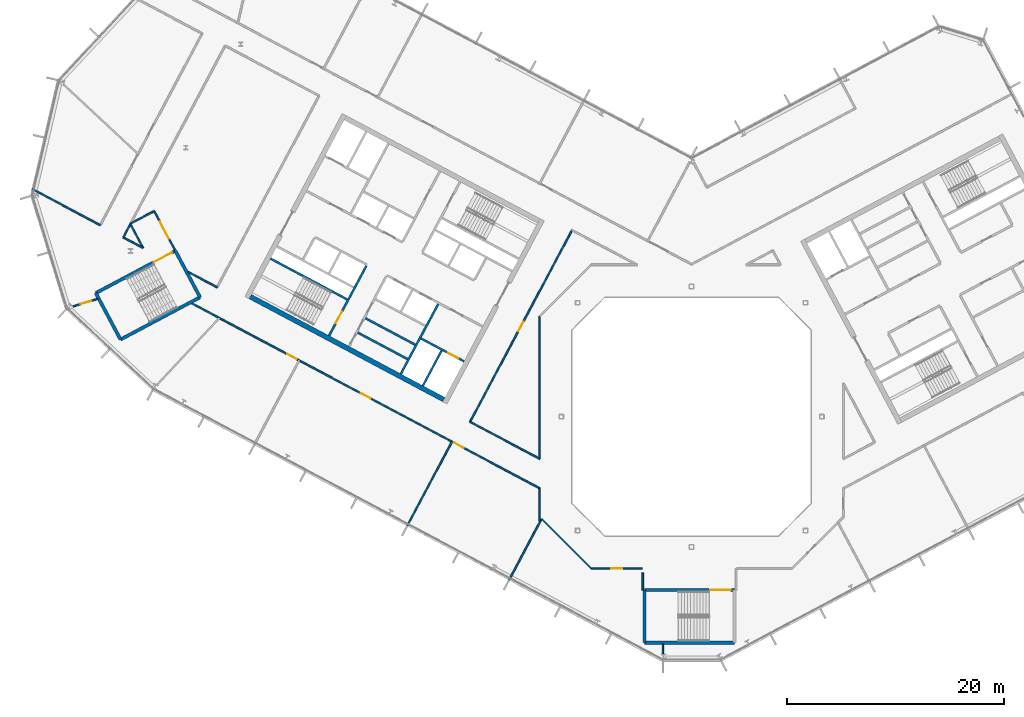
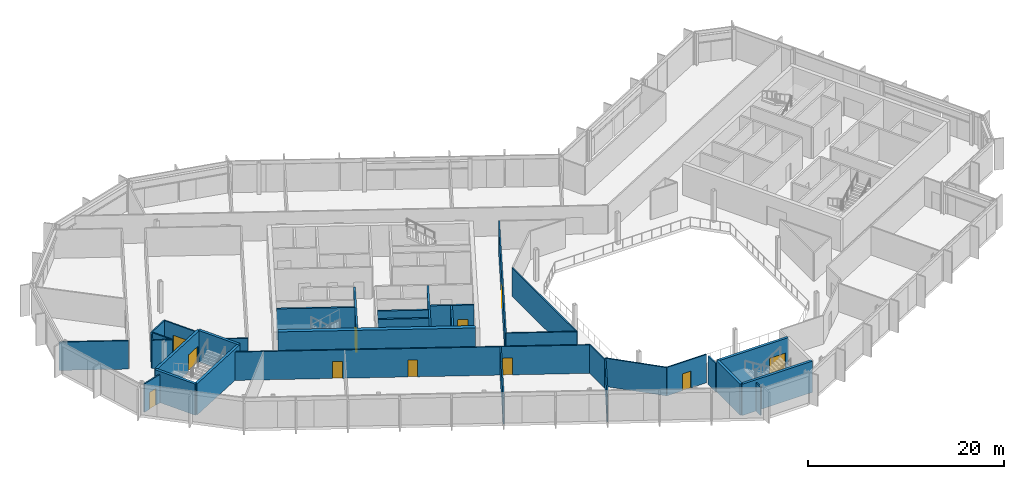
# One storey, part 13 of 26: 34 walls, 11 doors, 11 openings.
"""IFC4 building model written with IfcOpenShell, lengths in metres."""

import ifcopenshell
import ifcopenshell.guid

model = None  # the IFC model being written
_history = None  # IfcOwnerHistory: only IFC2X3 demands one
_inside = {}  # id of a spatial element -> (the spatial element, [elements in it])
_under = {}  # id of a project, library or spatial element -> (it, [spatial elements below it])
_declared = {}  # id of a project -> (the project, [libraries it declares])
_typed = {}  # id of a type object -> (the type object, [elements of that type])
_made_of = {}  # id of a material, layer set ... -> (it, [elements and type objects made of it])


def new_model(schema):
    """Start an empty IFC model of exactly this schema.

    Asked for "IFC4X3", IfcOpenShell would pick the latest addendum, in which some entities
    have other attributes; the version numbers below select the first issue.
    IFC2X3 requires an IfcOwnerHistory on every rooted entity: one is made here for all.
    """
    global model, _history
    if schema == "IFC4X3":
        model = ifcopenshell.file(schema_version=(4, 3, 0, 0))
    else:
        model = ifcopenshell.file(schema=schema)
    _inside.clear()
    _under.clear()
    _declared.clear()
    _typed.clear()
    _made_of.clear()
    _history = None
    if model.schema == "IFC2X3":
        org = make("IfcOrganization", Name="unknown")
        user = make(
            "IfcPersonAndOrganization",
            ThePerson=make("IfcPerson", FamilyName="unknown"),
            TheOrganization=org,
        )
        app = make(
            "IfcApplication",
            ApplicationDeveloper=org,
            Version="unknown",
            ApplicationFullName="unknown",
            ApplicationIdentifier="unknown",
        )
        _history = make(
            "IfcOwnerHistory",
            OwningUser=user,
            OwningApplication=app,
            ChangeAction="ADDED",
            CreationDate=0,
        )
    return model


def make(cls, **values):
    """One entity of the class cls with the attributes given. An attribute that is None is left unset."""
    return model.create_entity(
        cls, **{name: value for name, value in values.items() if value is not None}
    )


def rooted(cls, **values):
    """An entity with a GlobalId (a new one), such as an element, a storey or a relation."""
    return make(cls, GlobalId=ifcopenshell.guid.new(), OwnerHistory=_history, **values)


def si_unit(unit_type, name, prefix=None):
    """IfcSIUnit, for example si_unit("LENGTHUNIT", "METRE", prefix="MILLI")."""
    return make("IfcSIUnit", UnitType=unit_type, Prefix=prefix, Name=name)


def assignment(units):
    """IfcUnitAssignment: the units of a project."""
    return None if units is None else make("IfcUnitAssignment", Units=units)


def point(xyz):
    """IfcCartesianPoint."""
    return None if xyz is None else make("IfcCartesianPoint", Coordinates=xyz)


def direction(xyz):
    """IfcDirection."""
    return None if xyz is None else make("IfcDirection", DirectionRatios=xyz)


def frame(location, z_axis=None, x_axis=None):
    """IfcAxis2Placement3D, a coordinate frame: its origin and axes. An axis left out is left unset."""
    return make(
        "IfcAxis2Placement3D",
        Location=point(location),
        Axis=direction(z_axis),
        RefDirection=direction(x_axis),
    )


def frame_2d(location, x_axis=None):
    """IfcAxis2Placement2D, a coordinate frame in the plane: its origin and x axis."""
    return make(
        "IfcAxis2Placement2D", Location=point(location), RefDirection=direction(x_axis)
    )


def origin():
    """The frame at (0, 0, 0) with its axes left unset."""
    return frame((0.0, 0.0, 0.0))


def place(relative_to, where):
    """IfcLocalPlacement: puts the frame where relative to a parent placement (None: the world)."""
    return make(
        "IfcLocalPlacement", PlacementRelTo=relative_to, RelativePlacement=where
    )


def context(
    kind, dimensions, precision=None, world=None, true_north=None, identifier=None
):
    """IfcGeometricRepresentationContext, for example the 3D "Model" context."""
    return make(
        "IfcGeometricRepresentationContext",
        ContextIdentifier=identifier,
        ContextType=kind,
        CoordinateSpaceDimension=dimensions,
        Precision=precision,
        WorldCoordinateSystem=world,
        TrueNorth=true_north,
    )


def subcontext(parent, identifier, kind, view, scale=None):
    """IfcGeometricRepresentationSubContext, for example "Body" below "Model"."""
    return make(
        "IfcGeometricRepresentationSubContext",
        ContextIdentifier=identifier,
        ContextType=kind,
        ParentContext=parent,
        TargetScale=scale,
        TargetView=view,
    )


def project(units=None, contexts=None):
    """IfcProject with its units and contexts."""
    return rooted(
        "IfcProject",
        Name="project",
        RepresentationContexts=contexts,
        UnitsInContext=assignment(units),
    )


def spatial(cls, under=None, at=None, **own):
    """A site, building, storey or space (cls), placed at a placement, below another one or the project."""
    s = rooted(cls, ObjectPlacement=at, **own)
    if under is not None:
        _under.setdefault(under.id(), (under, []))[1].append(s)
    return s


def profile(cls, at=None, kind="AREA", **sizes):
    """A parametric profile (cls). Its sizes go by their IFC names, for example OverallWidth=200.0."""
    return make(cls, ProfileType=kind, Position=at, **sizes)


def rectangle(**sizes):
    """IfcRectangleProfileDef."""
    return profile("IfcRectangleProfileDef", **sizes)


def extrude(swept, where, along, depth):
    """IfcExtrudedAreaSolid: the profile swept, set in the frame where, extruded along a direction by depth."""
    return make(
        "IfcExtrudedAreaSolid",
        SweptArea=swept,
        Position=where,
        ExtrudedDirection=direction(along),
        Depth=depth,
    )


def shape(context_of_items, identifier, shape_type, items):
    """IfcShapeRepresentation: the items that make up one representation, for example the "Body"."""
    return make(
        "IfcShapeRepresentation",
        ContextOfItems=context_of_items,
        RepresentationIdentifier=identifier,
        RepresentationType=shape_type,
        Items=items,
    )


def material(Name=None, Category=None):
    """IfcMaterial."""
    return make("IfcMaterial", Name=Name, Category=Category)


def layer(
    of_material, thickness, ventilated=None, Name=None, Category=None, Priority=None
):
    """IfcMaterialLayer: one layer of a wall or slab, of a material (None: an air gap)."""
    return make(
        "IfcMaterialLayer",
        Material=of_material,
        LayerThickness=thickness,
        IsVentilated=ventilated,
        Name=Name,
        Category=Category,
        Priority=Priority,
    )


def layer_set(layers, Name=None):
    """IfcMaterialLayerSet."""
    return make("IfcMaterialLayerSet", MaterialLayers=layers, LayerSetName=Name)


def made_of(thing, what):
    """Note that an element or type object is made of a material, layer set ...; save() writes the relation."""
    if what is not None:
        _made_of.setdefault(what.id(), (what, []))[1].append(thing)
    return thing


def type_object(cls, material=None, **own):
    """A type object (cls), such as IfcWallType, which elements share."""
    return made_of(rooted(cls, **own), material)


def element(
    cls,
    number,
    at=None,
    inside=None,
    cuts=None,
    type_object=None,
    material=None,
    context=None,
    identifier="Body",
    shape_type=None,
    held_by="IfcProductDefinitionShape",
    body=None,
    shapes=None,
    **own,
):
    """One element of the class cls, such as IfcWall. Its Tag is "e" and its number.

    at: its placement. inside: the storey or other place that contains it. cuts: it is an
    opening in that element (IfcRelVoidsElement). A single representation is given by context,
    identifier, shape_type and body (its items); several are given by shapes. held_by: the class
    of the entity that holds the representations. save() writes the other relations.
    """
    e = rooted(cls, Tag="e%d" % number, ObjectPlacement=at, **own)
    if body is not None:
        shapes = [shape(context, identifier, shape_type, body)]
    if shapes is not None:
        e.Representation = make(held_by, Representations=shapes)
    if inside is not None:
        _inside.setdefault(inside.id(), (inside, []))[1].append(e)
    if cuts is not None:
        rooted(
            "IfcRelVoidsElement", RelatingBuildingElement=cuts, RelatedOpeningElement=e
        )
    if type_object is not None:
        _typed.setdefault(type_object.id(), (type_object, []))[1].append(e)
    return made_of(e, material)


def fill(opening, filler):
    """IfcRelFillsElement: the door or window that sits in an opening."""
    return rooted(
        "IfcRelFillsElement",
        RelatingOpeningElement=opening,
        RelatedBuildingElement=filler,
    )


def aggregate(whole, parts):
    """IfcRelAggregates: a whole, such as a stair, and the parts it consists of."""
    return rooted("IfcRelAggregates", RelatingObject=whole, RelatedObjects=parts)


def save(model, path):
    """Write the relations noted so far, then the file.

    IfcRelAggregates (storeys below a building ...), IfcRelContainedInSpatialStructure (elements
    in a storey), IfcRelDefinesByType, IfcRelAssociatesMaterial and IfcRelDeclares: one each for
    every whole, place, type object, material and project.
    """
    for whole, parts in _under.values():
        aggregate(whole, parts)
    for where, things in _inside.values():
        rooted(
            "IfcRelContainedInSpatialStructure",
            RelatedElements=things,
            RelatingStructure=where,
        )
    for kind, things in _typed.values():
        rooted("IfcRelDefinesByType", RelatedObjects=things, RelatingType=kind)
    for what, things in _made_of.values():
        rooted("IfcRelAssociatesMaterial", RelatedObjects=things, RelatingMaterial=what)
    for by, libraries in _declared.values():
        rooted("IfcRelDeclares", RelatingContext=by, RelatedDefinitions=libraries)
    model.write(path)


model = new_model("IFC4")

# Units and contexts
model_context = context("Model", 3, precision=1e-05, world=origin(), true_north=direction((0.0, 1.0)))
body_context = subcontext(model_context, "Body", "Model", "MODEL_VIEW")
ifc_project = project(units=[si_unit("LENGTHUNIT", "METRE"), si_unit("AREAUNIT", "SQUARE_METRE"), si_unit("VOLUMEUNIT", "CUBIC_METRE"), si_unit("PLANEANGLEUNIT", "RADIAN"), si_unit("MASSUNIT", "GRAM", prefix="KILO")], contexts=[model_context])

# Site, building, storey
site_placement = place(None, origin())
site = spatial("IfcSite", under=ifc_project, at=site_placement, CompositionType="ELEMENT")
building_placement = place(site_placement, origin())
building = spatial("IfcBuilding", under=site, at=building_placement, Name="Cormorant Relay Tower", CompositionType="ELEMENT")
storey_placement = place(building_placement, frame((0.0, 0.0, 261.89990234375)))
storey = spatial("IfcBuildingStorey", under=building, at=storey_placement, Name="L58", CompositionType="ELEMENT", Elevation=261.89990234375)

# Walls
ifc_material_1 = material(Name="Concrete 40 MPa", Category="concrete")
ifc_layer_1 = layer(ifc_material_1, 0.199951171875)
ifc_layer_set_1 = layer_set([ifc_layer_1], Name="Core internal wall 200")
wall_type_1 = type_object("IfcWallType", Name="Core internal wall 200", PredefinedType="SOLIDWALL", material=ifc_layer_set_1)
for number, where, z_axis, x_axis, name in (
    (1, (-25.46728515625, 6.632568359375, 0.0), (0.0, 0.0, 1.0), (-0.882953967957, 0.469459572775, 0.0), "L58 core A shaft and room wall"),
    (2, (-26.17138671875, 5.30810546875, 0.0), (0.0, 0.0, 1.0), (-0.882953967957, 0.469459572775, 0.0), "L58 core A shaft and room wall"),
):
    element("IfcWall", number, at=place(storey_placement, frame(where, z_axis=z_axis, x_axis=x_axis)), inside=storey, type_object=wall_type_1, Name=name, PredefinedType="SOLIDWALL", context=body_context, shape_type="SweptSolid", body=[
        extrude(rectangle(XDim=5.199951171875, YDim=0.199951171875, at=frame_2d((2.60009765625, 0.0))), origin(), (0.0, 0.0, 1.0), 3.900146484375),
    ])
ifc_material_2 = material(Name="Concrete 50 MPa", Category="concrete")
ifc_layer_2 = layer(ifc_material_2, 0.199951171875)
ifc_layer_set_2 = layer_set([ifc_layer_2], Name="Core shaft wall 200")
wall_type_2 = type_object("IfcWallType", Name="Core shaft wall 200", PredefinedType="SHEAR", material=ifc_layer_set_2)
wall_1_placement = place(storey_placement, frame((-23.04296875, 6.07958984375, 0.0), z_axis=(0.0, 0.0, 1.0), x_axis=(-0.469494272526, -0.882935517501, 0.0)))
element("IfcWall", 3, at=wall_1_placement, inside=storey, type_object=wall_type_2, Name="L58 core A shaft wall", PredefinedType="SHEAR", context=body_context, shape_type="SweptSolid", body=[
    extrude(rectangle(XDim=3.64990234375, YDim=0.199951171875, at=frame_2d((1.824951171875, 0.0))), origin(), (0.0, 0.0, 1.0), 3.900146484375),
])
wall_2_placement = place(storey_placement, frame((-23.360107421875, 10.38232421875, 0.0), z_axis=(0.0, 0.0, 1.0), x_axis=(-0.469480409012, -0.88294288918, 0.0)))
element("IfcWall", 4, at=wall_2_placement, inside=storey, type_object=wall_type_2, Name="L58 core A shaft wall", PredefinedType="SHEAR", context=body_context, shape_type="SweptSolid", body=[
    extrude(rectangle(XDim=7.300048828125, YDim=0.199951171875, at=frame_2d((3.64990234375, 0.0))), origin(), (0.0, 0.0, 1.0), 3.900146484375),
])

# Wall, opening, door
wall_3_placement = place(storey_placement, frame((-29.982421875, 13.9033203125, 0.0), z_axis=(0.0, 0.0, 1.0), x_axis=(-0.469454336211, -0.882956752176, 0.0)))
wall_3 = element("IfcWall", 5, at=wall_3_placement, inside=storey, type_object=wall_type_2, Name="L58 core A shaft wall", PredefinedType="SHEAR", context=body_context, shape_type="SweptSolid", body=[
    extrude(rectangle(XDim=7.300048828125, YDim=0.199951171875, at=frame_2d((3.64990234375, 0.0))), origin(), (0.0, 0.0, 1.0), 3.900146484375),
])
opening_1_placement = place(wall_3_placement, frame((4.800048828125, 0.0, 0.0)))
opening_1 = element("IfcOpeningElement", 6, at=opening_1_placement, cuts=wall_3, Name="Opening CDB-039", PredefinedType="OPENING", context=body_context, shape_type="SweptSolid", body=[
    extrude(rectangle(XDim=1.199951171875, YDim=2.10009765625, at=frame_2d((0.60009765625, 1.050048828125))), frame((0.0, 0.10986328125, 0.0), z_axis=(0.0, -1.0, 0.0), x_axis=(1.0, 0.0, 0.0)), (0.0, 0.0, 1.0), 0.219970703125),
])
ifc_material_3 = material(Name="Steel fire door", Category="steel")
door_type_1 = type_object("IfcDoorType", Name="Core stair door 1200x2100", OperationType="SINGLE_SWING_LEFT", PredefinedType="DOOR", material=ifc_material_3)
door_1_placement = place(opening_1_placement, frame((1.199951171875, 0.0, 0.0), z_axis=(0.0, 0.0, 1.0), x_axis=(-1.0, 0.0, 0.0)))
door_1 = element("IfcDoor", 7, at=door_1_placement, inside=storey, type_object=door_type_1, Name="Core stair door 1200x2100", OperationType="SINGLE_SWING_RIGHT", OverallHeight=2.10009765625, OverallWidth=1.199951171875, PredefinedType="DOOR", context=body_context, shape_type="SweptSolid", body=[
    extrude(rectangle(XDim=1.199951171875, YDim=2.10009765625, at=frame_2d((0.60009765625, 1.050048828125))), frame((0.0, 0.02490234375, 0.0), z_axis=(0.0, -1.0, 0.0), x_axis=(1.0, 0.0, 0.0)), (0.0, 0.0, 1.0), 0.050048828125),
])
fill(opening_1, door_1)

wall_4_placement = place(storey_placement, frame((-20.96533203125, 5.088134765625, 0.0), z_axis=(0.0, 0.0, 1.0), x_axis=(-0.882925986334, 0.469512196493, 0.0)))
wall_4 = element("IfcWall", 8, at=wall_4_placement, inside=storey, type_object=wall_type_2, Name="L58 core A shaft wall", PredefinedType="SHEAR", context=body_context, shape_type="SweptSolid", body=[
    extrude(rectangle(XDim=4.5, YDim=0.199951171875, at=frame_2d((2.25, 0.0))), origin(), (0.0, 0.0, 1.0), 3.900146484375),
])
opening_2_placement = place(wall_4_placement, frame((0.60009765625, 0.0, 0.0)))
opening_2 = element("IfcOpeningElement", 9, at=opening_2_placement, cuts=wall_4, Name="Opening LD1-063", PredefinedType="OPENING", context=body_context, shape_type="SweptSolid", body=[
    extrude(rectangle(XDim=1.10009765625, YDim=2.10009765625, at=frame_2d((0.550048828125, 1.050048828125))), frame((0.0, 0.10986328125, 0.0), z_axis=(0.0, -1.0, 0.0), x_axis=(1.0, 0.0, 0.0)), (0.0, 0.0, 1.0), 0.219970703125),
])
ifc_material_4 = material(Name="Stainless steel 316", Category="steel")
door_type_2 = type_object("IfcDoorType", Name="Lift landing door 1100x2100", OperationType="DOUBLE_DOOR_SLIDING", PredefinedType="DOOR", material=ifc_material_4)
door_2_placement = place(opening_2_placement, origin())
door_2 = element("IfcDoor", 10, at=door_2_placement, inside=storey, type_object=door_type_2, Name="FF1 landing door", OperationType="DOUBLE_DOOR_SLIDING", OverallHeight=2.10009765625, OverallWidth=1.10009765625, PredefinedType="DOOR", context=body_context, shape_type="SweptSolid", body=[
    extrude(rectangle(XDim=1.10009765625, YDim=2.10009765625, at=frame_2d((0.550048828125, 1.050048828125))), frame((0.0, 0.02490234375, 0.0), z_axis=(0.0, -1.0, 0.0), x_axis=(1.0, 0.0, 0.0)), (0.0, 0.0, 1.0), 0.050048828125),
])
fill(opening_2, door_2)

# Walls
wall_5_placement = place(storey_placement, frame((-31.7373046875, 10.815673828125, 0.0), z_axis=(0.0, 0.0, 1.0), x_axis=(-0.882940221191, 0.469485426614, 0.0)))
element("IfcWall", 11, at=wall_5_placement, inside=storey, type_object=wall_type_2, Name="L58 core A shaft wall", PredefinedType="SHEAR", context=body_context, shape_type="SweptSolid", body=[
    extrude(rectangle(XDim=8.0, YDim=0.199951171875, at=frame_2d((4.0, 0.0))), origin(), (0.0, 0.0, 1.0), 3.900146484375),
])
ifc_material_5 = material(Name="Concrete 50 MPa", Category="concrete")
ifc_layer_3 = layer(ifc_material_5, 0.449951171875)
ifc_layer_set_3 = layer_set([ifc_layer_3], Name="Core wall 450")
wall_type_3 = type_object("IfcWallType", Name="Core wall 450", PredefinedType="SHEAR", material=ifc_layer_set_3)
wall_6_placement = place(storey_placement, frame((-22.83154296875, 1.578369140625, 0.0), z_axis=(0.0, 0.0, 1.0), x_axis=(-0.88294509198, 0.469476266226, 0.0)))
element("IfcWall", 12, at=wall_6_placement, inside=storey, type_object=wall_type_3, Name="L58 core A wall", PredefinedType="SHEAR", context=body_context, shape_type="SweptSolid", body=[
    extrude(rectangle(XDim=20.199951171875, YDim=0.449951171875, at=frame_2d((10.10009765625, 0.0))), origin(), (0.0, 0.0, 1.0), 3.900146484375),
])
ifc_material_6 = material(Name="Gypsum board fire partition")
ifc_layer_4 = layer(ifc_material_6, 0.14990234375)
ifc_layer_set_4 = layer_set([ifc_layer_4], Name="Corridor partition 150 EI 60")
wall_type_4 = type_object("IfcWallType", Name="Corridor partition 150 EI 60", PredefinedType="PARTITIONING", material=ifc_layer_set_4)
wall_7_placement = place(storey_placement, frame((-54.492919921875, 17.64892578125, 0.0), z_axis=(0.0, 0.0, 1.0), x_axis=(-0.882938254124, 0.469489125971, 0.0)))
element("IfcWall", 13, at=wall_7_placement, inside=storey, type_object=wall_type_4, Name="wall/L58/part/004", PredefinedType="PARTITIONING", context=body_context, shape_type="SweptSolid", body=[
    extrude(rectangle(XDim=7.127197265625, YDim=0.14990234375, at=frame_2d((3.5634765625, 0.0))), origin(), (0.0, 0.0, 1.0), 3.5400390625),
])

# Wall, opening, door
wall_8_placement = place(storey_placement, frame((-54.73193359375, 10.85693359375, 0.0), z_axis=(0.0, 0.0, 1.0), x_axis=(-0.956231519395, -0.292611143525, 0.0)))
wall_8 = element("IfcWall", 14, at=wall_8_placement, inside=storey, type_object=wall_type_4, Name="wall/L58/part/005", PredefinedType="PARTITIONING", context=body_context, shape_type="SweptSolid", body=[
    extrude(rectangle(XDim=2.385498046875, YDim=0.14990234375, at=frame_2d((1.19287109375, 0.0))), origin(), (0.0, 0.0, 1.0), 3.5400390625),
])
opening_3_placement = place(wall_8_placement, frame((0.64990234375, 0.0, 0.0)))
opening_3 = element("IfcOpeningElement", 15, at=opening_3_placement, cuts=wall_8, Name="Opening DS-205", PredefinedType="OPENING", context=body_context, shape_type="SweptSolid", body=[
    extrude(rectangle(XDim=1.0, YDim=2.10009765625, at=frame_2d((0.5, 1.050048828125))), frame((0.0, 0.0849609375, 0.0), z_axis=(0.0, -1.0, 0.0), x_axis=(1.0, 0.0, 0.0)), (0.0, 0.0, 1.0), 0.169921875),
])
ifc_material_7 = material(Name="Timber door leaf", Category="wood")
door_type_3 = type_object("IfcDoorType", Name="Suite door 1000x2100", OperationType="SINGLE_SWING_LEFT", PredefinedType="DOOR", material=ifc_material_7)
door_3_placement = place(opening_3_placement, origin())
door_3 = element("IfcDoor", 16, at=door_3_placement, inside=storey, type_object=door_type_3, Name="door/L58/008", OperationType="SINGLE_SWING_LEFT", OverallHeight=2.10009765625, OverallWidth=1.0, PredefinedType="DOOR", context=body_context, shape_type="SweptSolid", body=[
    extrude(rectangle(XDim=1.0, YDim=2.10009765625, at=frame_2d((0.5, 1.050048828125))), frame((0.0, 0.02490234375, 0.0), z_axis=(0.0, -1.0, 0.0), x_axis=(1.0, 0.0, 0.0)), (0.0, 0.0, 1.0), 0.050048828125),
])
fill(opening_3, door_3)

wall_9_placement = place(storey_placement, frame((-47.62109375, 15.3779296875, 0.0), z_axis=(0.0, 0.0, 1.0), x_axis=(-0.469542997944, 0.882909606404, 0.0)))
wall_9 = element("IfcWall", 17, at=wall_9_placement, inside=storey, type_object=wall_type_4, Name="wall/L58/part/010", PredefinedType="PARTITIONING", context=body_context, shape_type="SweptSolid", body=[
    extrude(rectangle(XDim=4.050537109375, YDim=0.14990234375, at=frame_2d((2.025390625, 0.0))), origin(), (0.0, 0.0, 1.0), 3.5400390625),
])
opening_4_placement = place(wall_9_placement, frame((1.14990234375, 0.0, 0.0)))
opening_4 = element("IfcOpeningElement", 18, at=opening_4_placement, cuts=wall_9, Name="Opening DD-035", PredefinedType="OPENING", context=body_context, shape_type="SweptSolid", body=[
    extrude(rectangle(XDim=1.800048828125, YDim=2.10009765625, at=frame_2d((0.89990234375, 1.050048828125))), frame((0.0, 0.0849609375, 0.0), z_axis=(0.0, -1.0, 0.0), x_axis=(1.0, 0.0, 0.0)), (0.0, 0.0, 1.0), 0.169921875),
])
ifc_material_8 = material(Name="Timber door leaf", Category="wood")
door_type_4 = type_object("IfcDoorType", Name="Suite double door 1800x2100", OperationType="DOUBLE_DOOR_SINGLE_SWING", PredefinedType="DOOR", material=ifc_material_8)
door_4_placement = place(opening_4_placement, frame((1.800048828125, 0.0, 0.0), z_axis=(0.0, 0.0, 1.0), x_axis=(-1.0, 0.0, 0.0)))
door_4 = element("IfcDoor", 19, at=door_4_placement, inside=storey, type_object=door_type_4, Name="door/L58/003", OperationType="DOUBLE_DOOR_SINGLE_SWING", OverallHeight=2.10009765625, OverallWidth=1.800048828125, PredefinedType="DOOR", context=body_context, shape_type="SweptSolid", body=[
    extrude(rectangle(XDim=1.800048828125, YDim=2.10009765625, at=frame_2d((0.89990234375, 1.050048828125))), frame((0.0, 0.02490234375, 0.0), z_axis=(0.0, -1.0, 0.0), x_axis=(1.0, 0.0, 0.0)), (0.0, 0.0, 1.0), 0.050048828125),
])
fill(opening_4, door_4)

# Walls
wall_10_placement = place(storey_placement, frame((-49.52294921875, 18.9541015625, 0.0), z_axis=(0.0, 0.0, 1.0), x_axis=(-0.882767334528, -0.469810422501, 0.0)))
element("IfcWall", 20, at=wall_10_placement, inside=storey, type_object=wall_type_4, Name="wall/L58/part/011", PredefinedType="PARTITIONING", context=body_context, shape_type="SweptSolid", body=[
    extrude(rectangle(XDim=2.460693359375, YDim=0.14990234375, at=frame_2d((1.23046875, 0.0))), origin(), (0.0, 0.0, 1.0), 3.5400390625),
])
wall_11_placement = place(storey_placement, frame((-43.720947265625, 11.9208984375, 0.0), z_axis=(0.0, 0.0, 1.0), x_axis=(-0.882959580004, 0.46944901755, 0.0)))
element("IfcWall", 21, at=wall_11_placement, inside=storey, type_object=wall_type_4, Name="wall/L58/part/015", PredefinedType="PARTITIONING", context=body_context, shape_type="SweptSolid", body=[
    extrude(rectangle(XDim=3.03759765625, YDim=0.14990234375, at=frame_2d((1.518798828125, 0.0))), origin(), (0.0, 0.0, 1.0), 3.5400390625),
])

# Wall, openings, doors
wall_12_placement = place(storey_placement, frame((-14.0, -6.60009765625, 0.0), z_axis=(0.0, 0.0, 1.0), x_axis=(-0.88294319167, 0.469479840125, 0.0)))
wall_12 = element("IfcWall", 22, at=wall_12_placement, inside=storey, type_object=wall_type_4, Name="wall/L58/part/016", PredefinedType="PARTITIONING", context=body_context, shape_type="SweptSolid", body=[
    extrude(rectangle(XDim=36.344482421875, YDim=0.14990234375, at=frame_2d((18.17236328125, 0.0))), origin(), (0.0, 0.0, 1.0), 3.5400390625),
])
opening_5_placement = place(wall_12_placement, frame((25.35009765625, 0.0, 0.0)))
opening_5 = element("IfcOpeningElement", 23, at=opening_5_placement, cuts=wall_12, Name="Opening DS-206", PredefinedType="OPENING", context=body_context, shape_type="SweptSolid", body=[
    extrude(rectangle(XDim=1.0, YDim=2.10009765625, at=frame_2d((0.5, 1.050048828125))), frame((0.0, 0.0849609375, 0.0), z_axis=(0.0, -1.0, 0.0), x_axis=(1.0, 0.0, 0.0)), (0.0, 0.0, 1.0), 0.169921875),
])
opening_6_placement = place(wall_12_placement, frame((17.64990234375, 0.0, 0.0)))
opening_6 = element("IfcOpeningElement", 24, at=opening_6_placement, cuts=wall_12, Name="Opening DS-207", PredefinedType="OPENING", context=body_context, shape_type="SweptSolid", body=[
    extrude(rectangle(XDim=1.0, YDim=2.10009765625, at=frame_2d((0.5, 1.050048828125))), frame((0.0, 0.0849609375, 0.0), z_axis=(0.0, -1.0, 0.0), x_axis=(1.0, 0.0, 0.0)), (0.0, 0.0, 1.0), 0.169921875),
])
opening_7_placement = place(wall_12_placement, frame((7.949951171875, 0.0, 0.0)))
opening_7 = element("IfcOpeningElement", 25, at=opening_7_placement, cuts=wall_12, Name="Opening DS-208", PredefinedType="OPENING", context=body_context, shape_type="SweptSolid", body=[
    extrude(rectangle(XDim=1.0, YDim=2.10009765625, at=frame_2d((0.5, 1.050048828125))), frame((0.0, 0.0849609375, 0.0), z_axis=(0.0, -1.0, 0.0), x_axis=(1.0, 0.0, 0.0)), (0.0, 0.0, 1.0), 0.169921875),
])
door_5_placement = place(opening_5_placement, origin())
door_5 = element("IfcDoor", 26, at=door_5_placement, inside=storey, type_object=door_type_3, Name="door/L58/009", OperationType="SINGLE_SWING_LEFT", OverallHeight=2.10009765625, OverallWidth=1.0, PredefinedType="DOOR", context=body_context, shape_type="SweptSolid", body=[
    extrude(rectangle(XDim=1.0, YDim=2.10009765625, at=frame_2d((0.5, 1.050048828125))), frame((0.0, 0.02490234375, 0.0), z_axis=(0.0, -1.0, 0.0), x_axis=(1.0, 0.0, 0.0)), (0.0, 0.0, 1.0), 0.050048828125),
])
fill(opening_5, door_5)
door_6_placement = place(opening_6_placement, origin())
door_6 = element("IfcDoor", 27, at=door_6_placement, inside=storey, type_object=door_type_3, Name="door/L58/010", OperationType="SINGLE_SWING_LEFT", OverallHeight=2.10009765625, OverallWidth=1.0, PredefinedType="DOOR", context=body_context, shape_type="SweptSolid", body=[
    extrude(rectangle(XDim=1.0, YDim=2.10009765625, at=frame_2d((0.5, 1.050048828125))), frame((0.0, 0.02490234375, 0.0), z_axis=(0.0, -1.0, 0.0), x_axis=(1.0, 0.0, 0.0)), (0.0, 0.0, 1.0), 0.050048828125),
])
fill(opening_6, door_6)
door_7_placement = place(opening_7_placement, origin())
door_7 = element("IfcDoor", 28, at=door_7_placement, inside=storey, type_object=door_type_3, Name="door/L58/011", OperationType="SINGLE_SWING_RIGHT", OverallHeight=2.10009765625, OverallWidth=1.0, PredefinedType="DOOR", context=body_context, shape_type="SweptSolid", body=[
    extrude(rectangle(XDim=1.0, YDim=2.10009765625, at=frame_2d((0.5, 1.050048828125))), frame((0.0, 0.02490234375, 0.0), z_axis=(0.0, -1.0, 0.0), x_axis=(1.0, 0.0, 0.0)), (0.0, 0.0, 1.0), 0.050048828125),
])
fill(opening_7, door_7)

# Wall
wall_13_placement = place(storey_placement, frame((-14.0, -9.639892578125, 0.0), z_axis=(0.0, 0.0, 1.0), x_axis=(0.0, 1.0, 0.0)))
element("IfcWall", 29, at=wall_13_placement, inside=storey, type_object=wall_type_4, Name="wall/L58/part/023", PredefinedType="PARTITIONING", context=body_context, shape_type="SweptSolid", body=[
    extrude(rectangle(XDim=3.039794921875, YDim=0.14990234375, at=frame_2d((1.52001953125, 0.0))), origin(), (0.0, 0.0, 1.0), 3.5400390625),
])

# Wall, opening, door
wall_14_placement = place(storey_placement, frame((-4.5458984375, -14.0, 0.0), z_axis=(0.0, 0.0, 1.0), x_axis=(-1.0, 0.0, 0.0)))
wall_14 = element("IfcWall", 30, at=wall_14_placement, inside=storey, type_object=wall_type_4, Name="wall/L58/part/024", PredefinedType="PARTITIONING", context=body_context, shape_type="SweptSolid", body=[
    extrude(rectangle(XDim=4.697021484375, YDim=0.14990234375, at=frame_2d((2.3486328125, 0.0))), origin(), (0.0, 0.0, 1.0), 3.5400390625),
])
opening_8_placement = place(wall_14_placement, frame((1.85009765625, 0.0, 0.0)))
opening_8 = element("IfcOpeningElement", 31, at=opening_8_placement, cuts=wall_14, Name="Opening DS-209", PredefinedType="OPENING", context=body_context, shape_type="SweptSolid", body=[
    extrude(rectangle(XDim=1.0, YDim=2.10009765625, at=frame_2d((0.5, 1.050048828125))), frame((0.0, 0.0849609375, 0.0), z_axis=(0.0, -1.0, 0.0), x_axis=(1.0, 0.0, 0.0)), (0.0, 0.0, 1.0), 0.169921875),
])
door_8_placement = place(opening_8_placement, origin())
door_8 = element("IfcDoor", 32, at=door_8_placement, inside=storey, type_object=door_type_3, Name="door/L58/012", OperationType="SINGLE_SWING_LEFT", OverallHeight=2.10009765625, OverallWidth=1.0, PredefinedType="DOOR", context=body_context, shape_type="SweptSolid", body=[
    extrude(rectangle(XDim=1.0, YDim=2.10009765625, at=frame_2d((0.5, 1.050048828125))), frame((0.0, 0.02490234375, 0.0), z_axis=(0.0, -1.0, 0.0), x_axis=(1.0, 0.0, 0.0)), (0.0, 0.0, 1.0), 0.050048828125),
])
fill(opening_8, door_8)

# Walls
wall_15_placement = place(storey_placement, frame((-9.242919921875, -14.0, 0.0), z_axis=(0.0, 0.0, 1.0), x_axis=(-0.70703108598, 0.707182468291, 0.0)))
element("IfcWall", 33, at=wall_15_placement, inside=storey, type_object=wall_type_4, Name="wall/L58/part/025", PredefinedType="PARTITIONING", context=body_context, shape_type="SweptSolid", body=[
    extrude(rectangle(XDim=6.450927734375, YDim=0.14990234375, at=frame_2d((3.2255859375, 0.0))), origin(), (0.0, 0.0, 1.0), 3.5400390625),
])
wall_16_placement = place(storey_placement, frame((-4.5, -15.97509765625, 0.0), z_axis=(0.0, 0.0, 1.0), x_axis=(0.0, 1.0, 0.0)))
element("IfcWall", 34, at=wall_16_placement, inside=storey, type_object=wall_type_4, Name="wall/L58/part/027", PredefinedType="PARTITIONING", context=body_context, shape_type="SweptSolid", body=[
    extrude(rectangle(XDim=1.5810546875, YDim=0.14990234375, at=frame_2d((0.79052734375, 0.0))), origin(), (0.0, 0.0, 1.0), 3.5400390625),
])
wall_17_placement = place(storey_placement, frame((-50.5439453125, 15.549072265625, 0.0), z_axis=(0.0, 0.0, 1.0), x_axis=(-0.469183782948, 0.883100547967, 0.0)))
element("IfcWall", 35, at=wall_17_placement, inside=storey, type_object=wall_type_4, Name="wall/L58/part/041", PredefinedType="PARTITIONING", context=body_context, shape_type="SweptSolid", body=[
    extrude(rectangle(XDim=2.500244140625, YDim=0.14990234375, at=frame_2d((1.25, 0.0))), origin(), (0.0, 0.0, 1.0), 3.5400390625),
])
wall_18_placement = place(storey_placement, frame((-51.717041015625, 17.757080078125, 0.0), z_axis=(0.0, 0.0, 1.0), x_axis=(-0.469618761384, -0.882869310236, 0.0)))
element("IfcWall", 36, at=wall_18_placement, inside=storey, type_object=wall_type_4, Name="wall/L58/part/042", PredefinedType="PARTITIONING", context=body_context, shape_type="SweptSolid", body=[
    extrude(rectangle(XDim=1.39892578125, YDim=0.14990234375, at=frame_2d((0.699462890625, 0.0))), origin(), (0.0, 0.0, 1.0), 3.5400390625),
])
wall_19_placement = place(storey_placement, frame((-52.3740234375, 16.52197265625, 0.0), z_axis=(0.0, 0.0, 1.0), x_axis=(0.882981472085, -0.469407839682, 0.0)))
element("IfcWall", 37, at=wall_19_placement, inside=storey, type_object=wall_type_4, Name="wall/L58/part/043", PredefinedType="PARTITIONING", context=body_context, shape_type="SweptSolid", body=[
    extrude(rectangle(XDim=2.072509765625, YDim=0.14990234375, at=frame_2d((1.0361328125, 0.0))), origin(), (0.0, 0.0, 1.0), 3.5400390625),
])

# Wall, opening, door
wall_20_placement = place(storey_placement, frame((-20.410888671875, -0.472900390625, 0.0), z_axis=(0.0, 0.0, 1.0), x_axis=(0.469451816494, 0.882958091865, 0.0)))
wall_20 = element("IfcWall", 38, at=wall_20_placement, inside=storey, type_object=wall_type_4, Name="wall/L58/part/044", PredefinedType="PARTITIONING", context=body_context, shape_type="SweptSolid", body=[
    extrude(rectangle(XDim=19.999755859375, YDim=0.14990234375, at=frame_2d((10.0, 0.0))), origin(), (0.0, 0.0, 1.0), 3.5400390625),
])
opening_9_placement = place(wall_20_placement, frame((9.449951171875, 0.0, 0.0)))
opening_9 = element("IfcOpeningElement", 39, at=opening_9_placement, cuts=wall_20, Name="Opening DS-132", PredefinedType="OPENING", context=body_context, shape_type="SweptSolid", body=[
    extrude(rectangle(XDim=1.0, YDim=2.10009765625, at=frame_2d((0.5, 1.050048828125))), frame((0.0, 0.0849609375, 0.0), z_axis=(0.0, -1.0, 0.0), x_axis=(1.0, 0.0, 0.0)), (0.0, 0.0, 1.0), 0.169921875),
])
door_9_placement = place(opening_9_placement, frame((1.0, 0.0, 0.0), z_axis=(0.0, 0.0, 1.0), x_axis=(-1.0, 0.0, 0.0)))
door_9 = element("IfcDoor", 40, at=door_9_placement, inside=storey, type_object=door_type_3, Name="door/L58/004", OperationType="SINGLE_SWING_LEFT", OverallHeight=2.10009765625, OverallWidth=1.0, PredefinedType="DOOR", context=body_context, shape_type="SweptSolid", body=[
    extrude(rectangle(XDim=1.0, YDim=2.10009765625, at=frame_2d((0.5, 1.050048828125))), frame((0.0, 0.02490234375, 0.0), z_axis=(0.0, -1.0, 0.0), x_axis=(1.0, 0.0, 0.0)), (0.0, 0.0, 1.0), 0.050048828125),
])
fill(opening_9, door_9)

# Walls
wall_21_placement = place(storey_placement, frame((-14.0, 9.242919921875, 0.0), z_axis=(0.0, 0.0, 1.0), x_axis=(0.0, -1.0, 0.0)))
element("IfcWall", 41, at=wall_21_placement, inside=storey, type_object=wall_type_4, Name="wall/L58/part/048", PredefinedType="PARTITIONING", context=body_context, shape_type="SweptSolid", body=[
    extrude(rectangle(XDim=13.125, YDim=0.14990234375, at=frame_2d((6.5625, 0.0))), origin(), (0.0, 0.0, 1.0), 3.5400390625),
])
wall_22_placement = place(storey_placement, frame((-14.0, -3.882080078125, 0.0), z_axis=(0.0, 0.0, 1.0), x_axis=(-0.882921917986, 0.469519847014, 0.0)))
element("IfcWall", 42, at=wall_22_placement, inside=storey, type_object=wall_type_4, Name="wall/L58/part/049", PredefinedType="PARTITIONING", context=body_context, shape_type="SweptSolid", body=[
    extrude(rectangle(XDim=7.260986328125, YDim=0.14990234375, at=frame_2d((3.63037109375, 0.0))), origin(), (0.0, 0.0, 1.0), 3.5400390625),
])
ifc_material_9 = material(Name="Concrete 50 MPa", Category="concrete")
ifc_layer_5 = layer(ifc_material_9, 0.300048828125)
ifc_layer_set_5 = layer_set([ifc_layer_5], Name="Remote stair wall 300")
wall_type_5 = type_object("IfcWallType", Name="Remote stair wall 300", PredefinedType="SHEAR", material=ifc_layer_set_5)
wall_23_placement = place(storey_placement, frame((3.949951171875, -20.824951171875, 0.0), z_axis=(0.0, 0.0, 1.0), x_axis=(-1.0, 0.0, 0.0)))
element("IfcWall", 43, at=wall_23_placement, inside=storey, type_object=wall_type_5, Name="L58 exit stair RK1 wall", PredefinedType="SHEAR", context=body_context, shape_type="SweptSolid", body=[
    extrude(rectangle(XDim=8.300048828125, YDim=0.300048828125, at=frame_2d((4.14990234375, 0.0))), origin(), (0.0, 0.0, 1.0), 3.900146484375),
])
wall_24_placement = place(storey_placement, frame((-4.35009765625, -20.824951171875, 0.0), z_axis=(0.0, 0.0, 1.0), x_axis=(0.0, 1.0, 0.0)))
element("IfcWall", 44, at=wall_24_placement, inside=storey, type_object=wall_type_5, Name="L58 exit stair RK1 wall", PredefinedType="SHEAR", context=body_context, shape_type="SweptSolid", body=[
    extrude(rectangle(XDim=4.849853515625, YDim=0.300048828125, at=frame_2d((2.4248046875, 0.0))), origin(), (0.0, 0.0, 1.0), 3.900146484375),
])

# Wall, opening, door
wall_25_placement = place(storey_placement, frame((-4.35009765625, -15.97509765625, 0.0), z_axis=(0.0, 0.0, 1.0), x_axis=(1.0, 0.0, 0.0)))
wall_25 = element("IfcWall", 45, at=wall_25_placement, inside=storey, type_object=wall_type_5, Name="L58 exit stair RK1 wall", PredefinedType="SHEAR", context=body_context, shape_type="SweptSolid", body=[
    extrude(rectangle(XDim=8.300048828125, YDim=0.300048828125, at=frame_2d((4.14990234375, 0.0))), origin(), (0.0, 0.0, 1.0), 3.900146484375),
])
opening_10_placement = place(wall_25_placement, frame((6.050048828125, 0.0, 0.0)))
opening_10 = element("IfcOpeningElement", 46, at=opening_10_placement, cuts=wall_25, Name="Opening CDE-014", PredefinedType="OPENING", context=body_context, shape_type="SweptSolid", body=[
    extrude(rectangle(XDim=1.89990234375, YDim=2.10009765625, at=frame_2d((0.949951171875, 1.050048828125))), frame((0.0, 0.159912109375, 0.0), z_axis=(0.0, -1.0, 0.0), x_axis=(1.0, 0.0, 0.0)), (0.0, 0.0, 1.0), 0.320068359375),
])
ifc_material_10 = material(Name="Steel fire door", Category="steel")
door_type_5 = type_object("IfcDoorType", Name="Remote stair door 1900x2100", OperationType="DOUBLE_DOOR_SINGLE_SWING", PredefinedType="DOOR", material=ifc_material_10)
door_10_placement = place(opening_10_placement, frame((1.89990234375, 0.0, 0.0), z_axis=(0.0, 0.0, 1.0), x_axis=(-1.0, 0.0, 0.0)))
door_10 = element("IfcDoor", 47, at=door_10_placement, inside=storey, type_object=door_type_5, Name="Exit stair RK1 door", OperationType="DOUBLE_DOOR_SINGLE_SWING", OverallHeight=2.10009765625, OverallWidth=1.89990234375, PredefinedType="DOOR", context=body_context, shape_type="SweptSolid", body=[
    extrude(rectangle(XDim=1.89990234375, YDim=2.10009765625, at=frame_2d((0.949951171875, 1.050048828125))), frame((0.0, 0.02490234375, 0.0), z_axis=(0.0, -1.0, 0.0), x_axis=(1.0, 0.0, 0.0)), (0.0, 0.0, 1.0), 0.050048828125),
])
fill(opening_10, door_10)

# Walls
wall_26_placement = place(storey_placement, frame((-47.57421875, 15.28955078125, 0.0), z_axis=(0.0, 0.0, 1.0), x_axis=(0.469443498566, -0.882962514297, 0.0)))
element("IfcWall", 48, at=wall_26_placement, inside=storey, type_object=wall_type_5, Name="L58 exit stair RP1 wall", PredefinedType="SHEAR", context=body_context, shape_type="SweptSolid", body=[
    extrude(rectangle(XDim=4.85009765625, YDim=0.300048828125, at=frame_2d((2.425048828125, 0.0))), origin(), (0.0, 0.0, 1.0), 3.900146484375),
])
wall_27_placement = place(storey_placement, frame((-45.29736328125, 11.007080078125, 0.0), z_axis=(0.0, 0.0, 1.0), x_axis=(-0.882951519127, -0.469464178475, 0.0)))
element("IfcWall", 49, at=wall_27_placement, inside=storey, type_object=wall_type_5, Name="L58 exit stair RP1 wall", PredefinedType="SHEAR", context=body_context, shape_type="SweptSolid", body=[
    extrude(rectangle(XDim=8.2998046875, YDim=0.300048828125, at=frame_2d((4.14990234375, 0.0))), origin(), (0.0, 0.0, 1.0), 3.900146484375),
])
wall_28_placement = place(storey_placement, frame((-52.625732421875, 7.110595703125, 0.0), z_axis=(0.0, 0.0, 1.0), x_axis=(-0.469464364128, 0.882951420416, 0.0)))
element("IfcWall", 50, at=wall_28_placement, inside=storey, type_object=wall_type_5, Name="L58 exit stair RP1 wall", PredefinedType="SHEAR", context=body_context, shape_type="SweptSolid", body=[
    extrude(rectangle(XDim=4.849853515625, YDim=0.300048828125, at=frame_2d((2.4248046875, 0.0))), origin(), (0.0, 0.0, 1.0), 3.900146484375),
])

# Wall, opening, door
wall_29_placement = place(storey_placement, frame((-54.902587890625, 11.392822265625, 0.0), z_axis=(0.0, 0.0, 1.0), x_axis=(0.882939326045, 0.469487110071, 0.0)))
wall_29 = element("IfcWall", 51, at=wall_29_placement, inside=storey, type_object=wall_type_5, Name="L58 exit stair RP1 wall", PredefinedType="SHEAR", context=body_context, shape_type="SweptSolid", body=[
    extrude(rectangle(XDim=8.300048828125, YDim=0.300048828125, at=frame_2d((4.14990234375, 0.0))), origin(), (0.0, 0.0, 1.0), 3.900146484375),
])
opening_11_placement = place(wall_29_placement, frame((6.050048828125, 0.0, 0.0)))
opening_11 = element("IfcOpeningElement", 52, at=opening_11_placement, cuts=wall_29, Name="Opening CDE-015", PredefinedType="OPENING", context=body_context, shape_type="SweptSolid", body=[
    extrude(rectangle(XDim=1.89990234375, YDim=2.10009765625, at=frame_2d((0.949951171875, 1.050048828125))), frame((0.0, 0.159912109375, 0.0), z_axis=(0.0, -1.0, 0.0), x_axis=(1.0, 0.0, 0.0)), (0.0, 0.0, 1.0), 0.320068359375),
])
door_11_placement = place(opening_11_placement, frame((1.89990234375, 0.0, 0.0), z_axis=(0.0, 0.0, 1.0), x_axis=(-1.0, 0.0, 0.0)))
door_11 = element("IfcDoor", 53, at=door_11_placement, inside=storey, type_object=door_type_5, Name="Exit stair RP1 door", OperationType="DOUBLE_DOOR_SINGLE_SWING", OverallHeight=2.10009765625, OverallWidth=1.89990234375, PredefinedType="DOOR", context=body_context, shape_type="SweptSolid", body=[
    extrude(rectangle(XDim=1.89990234375, YDim=2.10009765625, at=frame_2d((0.949951171875, 1.050048828125))), frame((0.0, 0.02490234375, 0.0), z_axis=(0.0, -1.0, 0.0), x_axis=(1.0, 0.0, 0.0)), (0.0, 0.0, 1.0), 0.050048828125),
])
fill(opening_11, door_11)

# Walls
ifc_material_11 = material(Name="Gypsum board partition")
ifc_layer_6 = layer(ifc_material_11, 0.14990234375)
ifc_layer_set_6 = layer_set([ifc_layer_6], Name="Tenant partition 150")
wall_type_6 = type_object("IfcWallType", Name="Tenant partition 150", PredefinedType="PARTITIONING", material=ifc_layer_set_6)
wall_30_placement = place(storey_placement, frame((-22.0830078125, -2.302001953125, 0.0), z_axis=(0.0, 0.0, 1.0), x_axis=(-0.469445946219, -0.882961212952, 0.0)))
element("IfcWall", 54, at=wall_30_placement, inside=storey, type_object=wall_type_6, Name="wall/L58/part/019", PredefinedType="PARTITIONING", context=body_context, shape_type="SweptSolid", body=[
    extrude(rectangle(XDim=8.800048828125, YDim=0.14990234375, at=frame_2d((4.39990234375, 0.0))), origin(), (0.0, 0.0, 1.0), 3.5400390625),
])
wall_31_placement = place(storey_placement, frame((-13.823974609375, -9.4189453125, 0.0), z_axis=(0.0, 0.0, 1.0), x_axis=(-0.469525578512, -0.882918870068, 0.0)))
element("IfcWall", 55, at=wall_31_placement, inside=storey, type_object=wall_type_6, Name="wall/L58/part/022", PredefinedType="PARTITIONING", context=body_context, shape_type="SweptSolid", body=[
    extrude(rectangle(XDim=6.3935546875, YDim=0.14990234375, at=frame_2d((3.19677734375, 0.0))), origin(), (0.0, 0.0, 1.0), 3.5400390625),
])
wall_32_placement = place(storey_placement, frame((-2.64892578125, -20.925048828125, 0.0), z_axis=(0.0, 0.0, 1.0), x_axis=(0.0, -1.0, 0.0)))
element("IfcWall", 56, at=wall_32_placement, inside=storey, type_object=wall_type_6, Name="wall/L58/part/028", PredefinedType="PARTITIONING", context=body_context, shape_type="SweptSolid", body=[
    extrude(rectangle(XDim=0.966064453125, YDim=0.14990234375, at=frame_2d((0.48291015625, 0.0))), origin(), (0.0, 0.0, 1.0), 3.5400390625),
])

save(model, "model.ifc")
